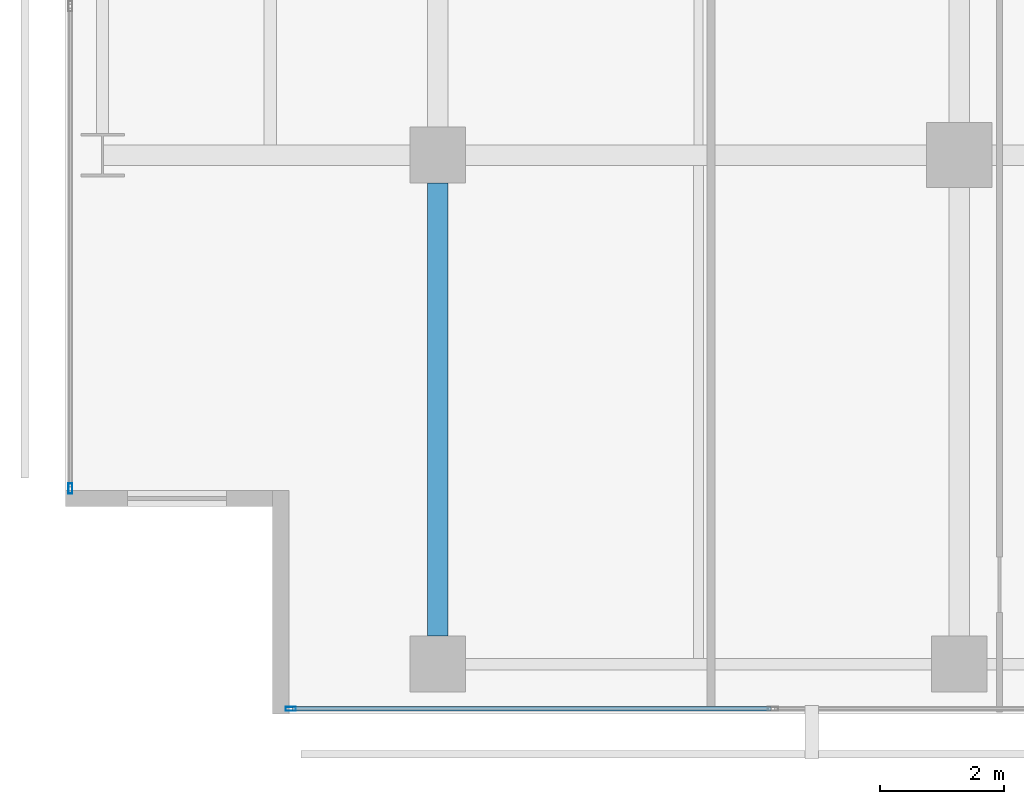
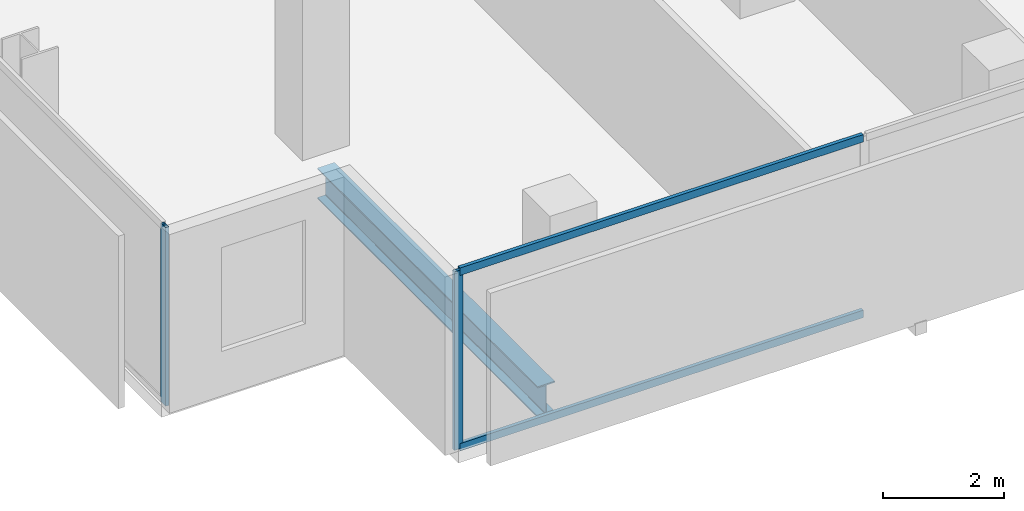
# One storey, part 2 of 39: 4 members, 1 beam, 2 elements without a shape of their own.
"""IFC4 building model written with IfcOpenShell, lengths in metres."""

import ifcopenshell
import ifcopenshell.guid

model = None  # the IFC model being written
_history = None  # IfcOwnerHistory: only IFC2X3 demands one
_inside = {}  # id of a spatial element -> (the spatial element, [elements in it])
_under = {}  # id of a project, library or spatial element -> (it, [spatial elements below it])
_declared = {}  # id of a project -> (the project, [libraries it declares])
_typed = {}  # id of a type object -> (the type object, [elements of that type])
_made_of = {}  # id of a material, layer set ... -> (it, [elements and type objects made of it])


def new_model(schema):
    """Start an empty IFC model of exactly this schema.

    Asked for "IFC4X3", IfcOpenShell would pick the latest addendum, in which some entities
    have other attributes; the version numbers below select the first issue.
    IFC2X3 requires an IfcOwnerHistory on every rooted entity: one is made here for all.
    """
    global model, _history
    if schema == "IFC4X3":
        model = ifcopenshell.file(schema_version=(4, 3, 0, 0))
    else:
        model = ifcopenshell.file(schema=schema)
    _inside.clear()
    _under.clear()
    _declared.clear()
    _typed.clear()
    _made_of.clear()
    _history = None
    if model.schema == "IFC2X3":
        org = make("IfcOrganization", Name="unknown")
        user = make(
            "IfcPersonAndOrganization",
            ThePerson=make("IfcPerson", FamilyName="unknown"),
            TheOrganization=org,
        )
        app = make(
            "IfcApplication",
            ApplicationDeveloper=org,
            Version="unknown",
            ApplicationFullName="unknown",
            ApplicationIdentifier="unknown",
        )
        _history = make(
            "IfcOwnerHistory",
            OwningUser=user,
            OwningApplication=app,
            ChangeAction="ADDED",
            CreationDate=0,
        )
    return model


def make(cls, **values):
    """One entity of the class cls with the attributes given. An attribute that is None is left unset."""
    return model.create_entity(
        cls, **{name: value for name, value in values.items() if value is not None}
    )


def rooted(cls, **values):
    """An entity with a GlobalId (a new one), such as an element, a storey or a relation."""
    return make(cls, GlobalId=ifcopenshell.guid.new(), OwnerHistory=_history, **values)


def si_unit(unit_type, name, prefix=None):
    """IfcSIUnit, for example si_unit("LENGTHUNIT", "METRE", prefix="MILLI")."""
    return make("IfcSIUnit", UnitType=unit_type, Prefix=prefix, Name=name)


def assignment(units):
    """IfcUnitAssignment: the units of a project."""
    return None if units is None else make("IfcUnitAssignment", Units=units)


def point(xyz):
    """IfcCartesianPoint."""
    return None if xyz is None else make("IfcCartesianPoint", Coordinates=xyz)


def direction(xyz):
    """IfcDirection."""
    return None if xyz is None else make("IfcDirection", DirectionRatios=xyz)


def frame(location, z_axis=None, x_axis=None):
    """IfcAxis2Placement3D, a coordinate frame: its origin and axes. An axis left out is left unset."""
    return make(
        "IfcAxis2Placement3D",
        Location=point(location),
        Axis=direction(z_axis),
        RefDirection=direction(x_axis),
    )


def frame_2d(location, x_axis=None):
    """IfcAxis2Placement2D, a coordinate frame in the plane: its origin and x axis."""
    return make(
        "IfcAxis2Placement2D", Location=point(location), RefDirection=direction(x_axis)
    )


def origin():
    """The frame at (0, 0, 0) with its axes left unset."""
    return frame((0.0, 0.0, 0.0))


def origin_2d():
    """The frame at (0, 0) in the plane with its x axis left unset."""
    return frame_2d((0.0, 0.0))


def place(relative_to, where):
    """IfcLocalPlacement: puts the frame where relative to a parent placement (None: the world)."""
    return make(
        "IfcLocalPlacement", PlacementRelTo=relative_to, RelativePlacement=where
    )


def context(
    kind, dimensions, precision=None, world=None, true_north=None, identifier=None
):
    """IfcGeometricRepresentationContext, for example the 3D "Model" context."""
    return make(
        "IfcGeometricRepresentationContext",
        ContextIdentifier=identifier,
        ContextType=kind,
        CoordinateSpaceDimension=dimensions,
        Precision=precision,
        WorldCoordinateSystem=world,
        TrueNorth=true_north,
    )


def subcontext(parent, identifier, kind, view, scale=None):
    """IfcGeometricRepresentationSubContext, for example "Body" below "Model"."""
    return make(
        "IfcGeometricRepresentationSubContext",
        ContextIdentifier=identifier,
        ContextType=kind,
        ParentContext=parent,
        TargetScale=scale,
        TargetView=view,
    )


def project(units=None, contexts=None):
    """IfcProject with its units and contexts."""
    return rooted(
        "IfcProject",
        Name="project",
        RepresentationContexts=contexts,
        UnitsInContext=assignment(units),
    )


def spatial(cls, under=None, at=None, **own):
    """A site, building, storey or space (cls), placed at a placement, below another one or the project."""
    s = rooted(cls, ObjectPlacement=at, **own)
    if under is not None:
        _under.setdefault(under.id(), (under, []))[1].append(s)
    return s


def profile(cls, at=None, kind="AREA", **sizes):
    """A parametric profile (cls). Its sizes go by their IFC names, for example OverallWidth=200.0."""
    return make(cls, ProfileType=kind, Position=at, **sizes)


def hollow_rectangle(**sizes):
    """IfcRectangleHollowProfileDef."""
    return profile("IfcRectangleHollowProfileDef", **sizes)


def i_section(**sizes):
    """IfcIShapeProfileDef."""
    return profile("IfcIShapeProfileDef", **sizes)


def extrude(swept, where, along, depth):
    """IfcExtrudedAreaSolid: the profile swept, set in the frame where, extruded along a direction by depth."""
    return make(
        "IfcExtrudedAreaSolid",
        SweptArea=swept,
        Position=where,
        ExtrudedDirection=direction(along),
        Depth=depth,
    )


def shape(context_of_items, identifier, shape_type, items):
    """IfcShapeRepresentation: the items that make up one representation, for example the "Body"."""
    return make(
        "IfcShapeRepresentation",
        ContextOfItems=context_of_items,
        RepresentationIdentifier=identifier,
        RepresentationType=shape_type,
        Items=items,
    )


def material(Name=None, Category=None):
    """IfcMaterial."""
    return make("IfcMaterial", Name=Name, Category=Category)


def layer(
    of_material, thickness, ventilated=None, Name=None, Category=None, Priority=None
):
    """IfcMaterialLayer: one layer of a wall or slab, of a material (None: an air gap)."""
    return make(
        "IfcMaterialLayer",
        Material=of_material,
        LayerThickness=thickness,
        IsVentilated=ventilated,
        Name=Name,
        Category=Category,
        Priority=Priority,
    )


def layer_set(layers, Name=None):
    """IfcMaterialLayerSet."""
    return make("IfcMaterialLayerSet", MaterialLayers=layers, LayerSetName=Name)


def material_profile(
    of_material, cross_section, Name=None, Category=None, Priority=None
):
    """IfcMaterialProfile: a cross section and its material."""
    return make(
        "IfcMaterialProfile",
        Name=Name,
        Material=of_material,
        Profile=cross_section,
        Priority=Priority,
        Category=Category,
    )


def profile_set(profiles, Name=None, composite=None):
    """IfcMaterialProfileSet."""
    return make(
        "IfcMaterialProfileSet",
        Name=Name,
        MaterialProfiles=profiles,
        CompositeProfile=composite,
    )


def made_of(thing, what):
    """Note that an element or type object is made of a material, layer set ...; save() writes the relation."""
    if what is not None:
        _made_of.setdefault(what.id(), (what, []))[1].append(thing)
    return thing


def type_object(cls, material=None, **own):
    """A type object (cls), such as IfcWallType, which elements share."""
    return made_of(rooted(cls, **own), material)


def element(
    cls,
    number,
    at=None,
    inside=None,
    cuts=None,
    type_object=None,
    material=None,
    context=None,
    identifier="Body",
    shape_type=None,
    held_by="IfcProductDefinitionShape",
    body=None,
    shapes=None,
    **own,
):
    """One element of the class cls, such as IfcWall. Its Tag is "e" and its number.

    at: its placement. inside: the storey or other place that contains it. cuts: it is an
    opening in that element (IfcRelVoidsElement). A single representation is given by context,
    identifier, shape_type and body (its items); several are given by shapes. held_by: the class
    of the entity that holds the representations. save() writes the other relations.
    """
    e = rooted(cls, Tag="e%d" % number, ObjectPlacement=at, **own)
    if body is not None:
        shapes = [shape(context, identifier, shape_type, body)]
    if shapes is not None:
        e.Representation = make(held_by, Representations=shapes)
    if inside is not None:
        _inside.setdefault(inside.id(), (inside, []))[1].append(e)
    if cuts is not None:
        rooted(
            "IfcRelVoidsElement", RelatingBuildingElement=cuts, RelatedOpeningElement=e
        )
    if type_object is not None:
        _typed.setdefault(type_object.id(), (type_object, []))[1].append(e)
    return made_of(e, material)


def aggregate(whole, parts):
    """IfcRelAggregates: a whole, such as a stair, and the parts it consists of."""
    return rooted("IfcRelAggregates", RelatingObject=whole, RelatedObjects=parts)


def save(model, path):
    """Write the relations noted so far, then the file.

    IfcRelAggregates (storeys below a building ...), IfcRelContainedInSpatialStructure (elements
    in a storey), IfcRelDefinesByType, IfcRelAssociatesMaterial and IfcRelDeclares: one each for
    every whole, place, type object, material and project.
    """
    for whole, parts in _under.values():
        aggregate(whole, parts)
    for where, things in _inside.values():
        rooted(
            "IfcRelContainedInSpatialStructure",
            RelatedElements=things,
            RelatingStructure=where,
        )
    for kind, things in _typed.values():
        rooted("IfcRelDefinesByType", RelatedObjects=things, RelatingType=kind)
    for what, things in _made_of.values():
        rooted("IfcRelAssociatesMaterial", RelatedObjects=things, RelatingMaterial=what)
    for by, libraries in _declared.values():
        rooted("IfcRelDeclares", RelatingContext=by, RelatedDefinitions=libraries)
    model.write(path)


model = new_model("IFC4")

# Units and contexts
model_context = context("Model", 3, precision=1e-05, world=origin(), true_north=direction((0.0, 1.0)))
body_context = subcontext(model_context, "Body", "Model", "MODEL_VIEW")
ifc_project = project(units=[si_unit("LENGTHUNIT", "METRE"), si_unit("AREAUNIT", "SQUARE_METRE"), si_unit("VOLUMEUNIT", "CUBIC_METRE"), si_unit("PLANEANGLEUNIT", "RADIAN"), si_unit("MASSUNIT", "GRAM", prefix="KILO")], contexts=[model_context])

# Site, building, storey
site_placement = place(None, origin())
site = spatial("IfcSite", under=ifc_project, at=site_placement, CompositionType="ELEMENT")
building_placement = place(site_placement, origin())
building = spatial("IfcBuilding", under=site, at=building_placement, Name="Maruvema Waterfront Hotel and Observation Tower", CompositionType="ELEMENT")
storey_placement = place(building_placement, frame((0.0, 0.0, 46.199951171875)))
storey = spatial("IfcBuildingStorey", under=building, at=storey_placement, Name="L10", CompositionType="ELEMENT", Elevation=46.199951171875)

# Curtain wall, members
ifc_material_1 = material(Name="Anodised bronze aluminium and solar-control low-E IGU", Category="aluminium")
ifc_layer = layer(ifc_material_1, 0.159912109375, Name="Zone 1 Bronze Inner Thermal Curtain Wall System CW-02")
ifc_layer_set = layer_set([ifc_layer], Name="Anodised bronze aluminium and solar-control low-E IGU")
curtain_wall_type = type_object("IfcCurtainWallType", Name="Zone 1 Bronze Inner Thermal Curtain Wall System CW-02", PredefinedType="USERDEFINED", material=ifc_layer_set)
curtain_wall_1_placement = place(storey_placement, origin())
curtain_wall_1 = element("IfcCurtainWall", 1, at=curtain_wall_1_placement, inside=storey, type_object=curtain_wall_type, Name="L10 Curtain Wall CW-L10-S", ObjectType="UNITISED CURTAIN WALL", PredefinedType="USERDEFINED")
ifc_material_2 = material(Name="Anodised architectural bronze aluminium", Category="aluminium")
ifc_material_profile_1 = material_profile(ifc_material_2, hollow_rectangle(XDim=0.070068359375, YDim=0.14990234375, WallThickness=0.00390625, at=origin_2d()), Name="ALU-T70x150")
ifc_profile_set_1 = profile_set([ifc_material_profile_1], Name="Anodised architectural bronze aluminium")
member_type_1 = type_object("IfcMemberType", Name="Curtain Wall Horizontal Transom ALU-T70x150", PredefinedType="USERDEFINED", material=ifc_profile_set_1)
member_1_placement = place(storey_placement, frame((14.4599609375, 0.080078125, 0.030029296875), z_axis=(1.0, 0.0, 0.0), x_axis=(0.0, 1.0, 0.0)))
member_1 = element("IfcMember", 2, at=member_1_placement, type_object=member_type_1, Name="CW-02 transom 1.1", ObjectType="TRANSOM", PredefinedType="USERDEFINED", context=body_context, shape_type="SweptSolid", body=[
    extrude(hollow_rectangle(XDim=0.070068359375, YDim=0.14990234375, WallThickness=0.00390625, at=origin_2d()), origin(), (0.0, 0.0, 1.0), 7.7099609375),
])
member_2_placement = place(storey_placement, frame((14.4599609375, 0.080078125, 3.580078125), z_axis=(1.0, 0.0, 0.0), x_axis=(0.0, 1.0, 0.0)))
member_2 = element("IfcMember", 3, at=member_2_placement, type_object=member_type_1, Name="CW-02 transom 1.2", ObjectType="TRANSOM", PredefinedType="USERDEFINED", context=body_context, shape_type="SweptSolid", body=[
    extrude(hollow_rectangle(XDim=0.070068359375, YDim=0.14990234375, WallThickness=0.00390625, at=origin_2d()), origin(), (0.0, 0.0, 1.0), 7.7099609375),
])
ifc_material_3 = material(Name="Anodised architectural bronze aluminium", Category="aluminium")
ifc_material_profile_2 = material_profile(ifc_material_3, hollow_rectangle(XDim=0.06494140625, YDim=0.1650390625, WallThickness=0.00390625, at=origin_2d()), Name="ALU-M65x165")
ifc_profile_set_2 = profile_set([ifc_material_profile_2], Name="Anodised architectural bronze aluminium")
member_type_2 = type_object("IfcMemberType", Name="Curtain Wall Primary Mullion ALU-M65x165", PredefinedType="MULLION", material=ifc_profile_set_2)
member_3_placement = place(storey_placement, frame((14.429931640625, 0.080078125, 0.0), z_axis=(0.0, 0.0, 1.0), x_axis=(0.0, 1.0, 0.0)))
member_3 = element("IfcMember", 4, at=member_3_placement, type_object=member_type_2, Name="CW-02 mullion 1", PredefinedType="MULLION", context=body_context, shape_type="SweptSolid", body=[
    extrude(hollow_rectangle(XDim=0.06494140625, YDim=0.1650390625, WallThickness=0.00390625, at=origin_2d()), origin(), (0.0, 0.0, 1.0), 3.610107421875),
])
aggregate(curtain_wall_1, [member_3, member_1, member_2])

# Curtain wall, member
curtain_wall_2_placement = place(storey_placement, origin())
curtain_wall_2 = element("IfcCurtainWall", 5, at=curtain_wall_2_placement, inside=storey, type_object=curtain_wall_type, Name="L10 Curtain Wall CW-L10-W", ObjectType="UNITISED CURTAIN WALL", PredefinedType="USERDEFINED")
member_4_placement = place(storey_placement, frame((10.8798828125, 3.6298828125, 0.0), z_axis=(0.0, 0.0, 1.0), x_axis=(1.0, 0.0, 0.0)))
member_4 = element("IfcMember", 6, at=member_4_placement, type_object=member_type_2, Name="CW-02 mullion 7", PredefinedType="MULLION", context=body_context, shape_type="SweptSolid", body=[
    extrude(hollow_rectangle(XDim=0.06494140625, YDim=0.1650390625, WallThickness=0.00390625, at=origin_2d()), origin(), (0.0, 0.0, 1.0), 3.610107421875),
])
aggregate(curtain_wall_2, [member_4])

# Beam
ifc_material_4 = material(Name="Steel ASTM A572 Grade 50", Category="steel")
ifc_material_profile_3 = material_profile(ifc_material_4, i_section(OverallWidth=0.326904296875, OverallDepth=0.6220703125, WebThickness=0.015380859375, FlangeThickness=0.0244140625, FilletRadius=0.01806640625, at=origin_2d()), Name="W610x195.0")
ifc_profile_set_3 = profile_set([ifc_material_profile_3], Name="Steel ASTM A572 Grade 50")
beam_type = type_object("IfcBeamType", Name="Primary Floor Girder W610x195.0", PredefinedType="BEAM", material=ifc_profile_set_3)
beam_placement = place(storey_placement, frame((16.800048828125, 1.25, -0.551025390625), z_axis=(0.0, 1.0, 0.0), x_axis=(-1.0, 0.0, 0.0)))
element("IfcBeam", 7, at=beam_placement, inside=storey, type_object=beam_type, Name="L10 Floor Girder NS-05", PredefinedType="BEAM", context=body_context, shape_type="SweptSolid", body=[
    extrude(i_section(OverallWidth=0.326904296875, OverallDepth=0.6220703125, WebThickness=0.015380859375, FlangeThickness=0.0244140625, FilletRadius=0.01806640625, at=origin_2d()), origin(), (0.0, 0.0, 1.0), 7.300048828125),
])

save(model, "model.ifc")
